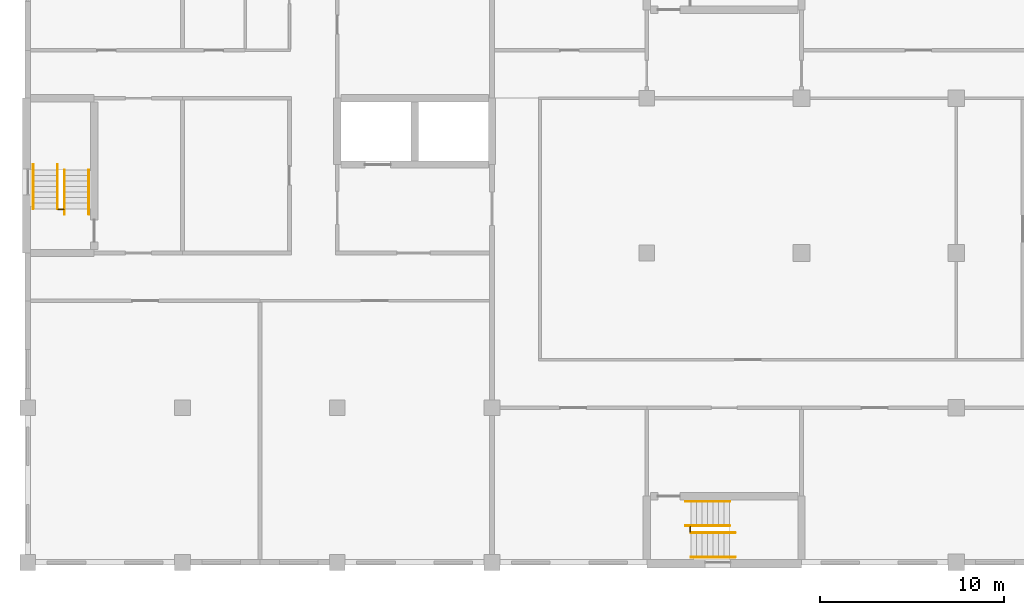
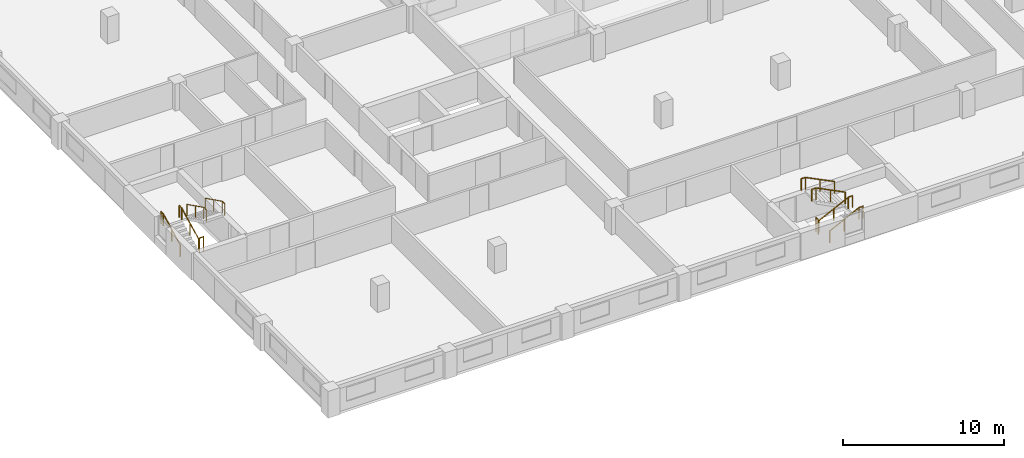
# One storey, part 43 of 48: 10 railings.
"""IFC4 building model written with IfcOpenShell, lengths in metres."""

import ifcopenshell
import ifcopenshell.guid

model = None  # the IFC model being written
_history = None  # IfcOwnerHistory: only IFC2X3 demands one
_inside = {}  # id of a spatial element -> (the spatial element, [elements in it])
_under = {}  # id of a project, library or spatial element -> (it, [spatial elements below it])
_declared = {}  # id of a project -> (the project, [libraries it declares])
_typed = {}  # id of a type object -> (the type object, [elements of that type])
_made_of = {}  # id of a material, layer set ... -> (it, [elements and type objects made of it])


def new_model(schema):
    """Start an empty IFC model of exactly this schema.

    Asked for "IFC4X3", IfcOpenShell would pick the latest addendum, in which some entities
    have other attributes; the version numbers below select the first issue.
    IFC2X3 requires an IfcOwnerHistory on every rooted entity: one is made here for all.
    """
    global model, _history
    if schema == "IFC4X3":
        model = ifcopenshell.file(schema_version=(4, 3, 0, 0))
    else:
        model = ifcopenshell.file(schema=schema)
    _inside.clear()
    _under.clear()
    _declared.clear()
    _typed.clear()
    _made_of.clear()
    _history = None
    if model.schema == "IFC2X3":
        org = make("IfcOrganization", Name="unknown")
        user = make(
            "IfcPersonAndOrganization",
            ThePerson=make("IfcPerson", FamilyName="unknown"),
            TheOrganization=org,
        )
        app = make(
            "IfcApplication",
            ApplicationDeveloper=org,
            Version="unknown",
            ApplicationFullName="unknown",
            ApplicationIdentifier="unknown",
        )
        _history = make(
            "IfcOwnerHistory",
            OwningUser=user,
            OwningApplication=app,
            ChangeAction="ADDED",
            CreationDate=0,
        )
    return model


def make(cls, **values):
    """One entity of the class cls with the attributes given. An attribute that is None is left unset."""
    return model.create_entity(
        cls, **{name: value for name, value in values.items() if value is not None}
    )


def rooted(cls, **values):
    """An entity with a GlobalId (a new one), such as an element, a storey or a relation."""
    return make(cls, GlobalId=ifcopenshell.guid.new(), OwnerHistory=_history, **values)


def si_unit(unit_type, name, prefix=None):
    """IfcSIUnit, for example si_unit("LENGTHUNIT", "METRE", prefix="MILLI")."""
    return make("IfcSIUnit", UnitType=unit_type, Prefix=prefix, Name=name)


def assignment(units):
    """IfcUnitAssignment: the units of a project."""
    return None if units is None else make("IfcUnitAssignment", Units=units)


def point(xyz):
    """IfcCartesianPoint."""
    return None if xyz is None else make("IfcCartesianPoint", Coordinates=xyz)


def direction(xyz):
    """IfcDirection."""
    return None if xyz is None else make("IfcDirection", DirectionRatios=xyz)


def frame(location, z_axis=None, x_axis=None):
    """IfcAxis2Placement3D, a coordinate frame: its origin and axes. An axis left out is left unset."""
    return make(
        "IfcAxis2Placement3D",
        Location=point(location),
        Axis=direction(z_axis),
        RefDirection=direction(x_axis),
    )


def frame_2d(location, x_axis=None):
    """IfcAxis2Placement2D, a coordinate frame in the plane: its origin and x axis."""
    return make(
        "IfcAxis2Placement2D", Location=point(location), RefDirection=direction(x_axis)
    )


def origin():
    """The frame at (0, 0, 0) with its axes left unset."""
    return frame((0.0, 0.0, 0.0))


def origin_2d():
    """The frame at (0, 0) in the plane with its x axis left unset."""
    return frame_2d((0.0, 0.0))


def place(relative_to, where):
    """IfcLocalPlacement: puts the frame where relative to a parent placement (None: the world)."""
    return make(
        "IfcLocalPlacement", PlacementRelTo=relative_to, RelativePlacement=where
    )


def context(
    kind, dimensions, precision=None, world=None, true_north=None, identifier=None
):
    """IfcGeometricRepresentationContext, for example the 3D "Model" context."""
    return make(
        "IfcGeometricRepresentationContext",
        ContextIdentifier=identifier,
        ContextType=kind,
        CoordinateSpaceDimension=dimensions,
        Precision=precision,
        WorldCoordinateSystem=world,
        TrueNorth=true_north,
    )


def subcontext(parent, identifier, kind, view, scale=None):
    """IfcGeometricRepresentationSubContext, for example "Body" below "Model"."""
    return make(
        "IfcGeometricRepresentationSubContext",
        ContextIdentifier=identifier,
        ContextType=kind,
        ParentContext=parent,
        TargetScale=scale,
        TargetView=view,
    )


def project(units=None, contexts=None):
    """IfcProject with its units and contexts."""
    return rooted(
        "IfcProject",
        Name="project",
        RepresentationContexts=contexts,
        UnitsInContext=assignment(units),
    )


def spatial(cls, under=None, at=None, **own):
    """A site, building, storey or space (cls), placed at a placement, below another one or the project."""
    s = rooted(cls, ObjectPlacement=at, **own)
    if under is not None:
        _under.setdefault(under.id(), (under, []))[1].append(s)
    return s


def profile(cls, at=None, kind="AREA", **sizes):
    """A parametric profile (cls). Its sizes go by their IFC names, for example OverallWidth=200.0."""
    return make(cls, ProfileType=kind, Position=at, **sizes)


def circle(**sizes):
    """IfcCircleProfileDef."""
    return profile("IfcCircleProfileDef", **sizes)


def extrude(swept, where, along, depth):
    """IfcExtrudedAreaSolid: the profile swept, set in the frame where, extruded along a direction by depth."""
    return make(
        "IfcExtrudedAreaSolid",
        SweptArea=swept,
        Position=where,
        ExtrudedDirection=direction(along),
        Depth=depth,
    )


def shape(context_of_items, identifier, shape_type, items):
    """IfcShapeRepresentation: the items that make up one representation, for example the "Body"."""
    return make(
        "IfcShapeRepresentation",
        ContextOfItems=context_of_items,
        RepresentationIdentifier=identifier,
        RepresentationType=shape_type,
        Items=items,
    )


def material(Name=None, Category=None):
    """IfcMaterial."""
    return make("IfcMaterial", Name=Name, Category=Category)


def made_of(thing, what):
    """Note that an element or type object is made of a material, layer set ...; save() writes the relation."""
    if what is not None:
        _made_of.setdefault(what.id(), (what, []))[1].append(thing)
    return thing


def type_object(cls, material=None, **own):
    """A type object (cls), such as IfcWallType, which elements share."""
    return made_of(rooted(cls, **own), material)


def element(
    cls,
    number,
    at=None,
    inside=None,
    cuts=None,
    type_object=None,
    material=None,
    context=None,
    identifier="Body",
    shape_type=None,
    held_by="IfcProductDefinitionShape",
    body=None,
    shapes=None,
    **own,
):
    """One element of the class cls, such as IfcWall. Its Tag is "e" and its number.

    at: its placement. inside: the storey or other place that contains it. cuts: it is an
    opening in that element (IfcRelVoidsElement). A single representation is given by context,
    identifier, shape_type and body (its items); several are given by shapes. held_by: the class
    of the entity that holds the representations. save() writes the other relations.
    """
    e = rooted(cls, Tag="e%d" % number, ObjectPlacement=at, **own)
    if body is not None:
        shapes = [shape(context, identifier, shape_type, body)]
    if shapes is not None:
        e.Representation = make(held_by, Representations=shapes)
    if inside is not None:
        _inside.setdefault(inside.id(), (inside, []))[1].append(e)
    if cuts is not None:
        rooted(
            "IfcRelVoidsElement", RelatingBuildingElement=cuts, RelatedOpeningElement=e
        )
    if type_object is not None:
        _typed.setdefault(type_object.id(), (type_object, []))[1].append(e)
    return made_of(e, material)


def aggregate(whole, parts):
    """IfcRelAggregates: a whole, such as a stair, and the parts it consists of."""
    return rooted("IfcRelAggregates", RelatingObject=whole, RelatedObjects=parts)


def save(model, path):
    """Write the relations noted so far, then the file.

    IfcRelAggregates (storeys below a building ...), IfcRelContainedInSpatialStructure (elements
    in a storey), IfcRelDefinesByType, IfcRelAssociatesMaterial and IfcRelDeclares: one each for
    every whole, place, type object, material and project.
    """
    for whole, parts in _under.values():
        aggregate(whole, parts)
    for where, things in _inside.values():
        rooted(
            "IfcRelContainedInSpatialStructure",
            RelatedElements=things,
            RelatingStructure=where,
        )
    for kind, things in _typed.values():
        rooted("IfcRelDefinesByType", RelatedObjects=things, RelatingType=kind)
    for what, things in _made_of.values():
        rooted("IfcRelAssociatesMaterial", RelatedObjects=things, RelatingMaterial=what)
    for by, libraries in _declared.values():
        rooted("IfcRelDeclares", RelatingContext=by, RelatedDefinitions=libraries)
    model.write(path)


model = new_model("IFC4")

# Units and contexts
model_context = context("Model", 3, precision=1e-05, world=origin(), true_north=direction((0.0, 1.0)))
body_context = subcontext(model_context, "Body", "Model", "MODEL_VIEW")
ifc_project = project(units=[si_unit("LENGTHUNIT", "METRE"), si_unit("AREAUNIT", "SQUARE_METRE"), si_unit("VOLUMEUNIT", "CUBIC_METRE"), si_unit("PLANEANGLEUNIT", "RADIAN"), si_unit("MASSUNIT", "GRAM", prefix="KILO")], contexts=[model_context])

# Site, building, storey
site_placement = place(None, origin())
site = spatial("IfcSite", under=ifc_project, at=site_placement, CompositionType="ELEMENT")
building_placement = place(site_placement, origin())
building = spatial("IfcBuilding", under=site, at=building_placement, Name="Yavir Park General Hospital", CompositionType="ELEMENT")
storey_placement = place(building_placement, frame((0.0, 0.0, 12.89990234375)))
storey = spatial("IfcBuildingStorey", under=building, at=storey_placement, Name="I02", CompositionType="ELEMENT", Elevation=12.89990234375)

# Railings
ifc_material_1 = material(Name="Steel balustrade with infill rods", Category="steel")
railing_type_1 = type_object("IfcRailingType", Name="Stair guard, steel balustrade 1100 mm", PredefinedType="GUARDRAIL", material=ifc_material_1)
railing_1_placement = place(storey_placement, frame((1.64990234375, 19.169921875, 0.0)))
element("IfcRailing", 1, at=railing_1_placement, inside=storey, type_object=railing_type_1, Name="Stair well guard SU1 I02", PredefinedType="GUARDRAIL", context=body_context, shape_type="SweptSolid", body=[
    extrude(circle(Radius=0.02392578125, at=origin_2d()), frame((0.0, 0.0, 1.076171875), z_axis=(1.0, 0.0, 0.0), x_axis=(0.0, 1.0, 0.0)), (0.0, 0.0, 1.0), 0.300048828125),
    extrude(circle(Radius=0.02099609375, at=origin_2d()), origin(), (0.0, 0.0, 1.0), 1.052001953125),
    extrude(circle(Radius=0.02099609375, at=origin_2d()), frame((0.300048828125, 0.0, 0.0)), (0.0, 0.0, 1.0), 1.052001953125),
])
railing_2_placement = place(storey_placement, frame((35.969970703125, 1.64990234375, 0.0)))
element("IfcRailing", 2, at=railing_2_placement, inside=storey, type_object=railing_type_1, Name="Stair well guard SU2 I02", PredefinedType="GUARDRAIL", context=body_context, shape_type="SweptSolid", body=[
    extrude(circle(Radius=0.02392578125, at=origin_2d()), frame((0.0, 0.0, 1.076171875), z_axis=(0.0, 1.0, 0.0), x_axis=(-1.0, 0.0, 0.0)), (0.0, 0.0, 1.0), 0.300048828125),
    extrude(circle(Radius=0.02099609375, at=origin_2d()), origin(), (0.0, 0.0, 1.0), 1.052001953125),
    extrude(circle(Radius=0.02099609375, at=origin_2d()), frame((0.0, 0.300048828125, 0.0)), (0.0, 0.0, 1.0), 1.052001953125),
])
ifc_material_2 = material(Name="Stainless steel tube 48 mm", Category="steel")
railing_type_2 = type_object("IfcRailingType", Name="Stair handrail, steel tube, 900 mm above the nosings", PredefinedType="HANDRAIL", material=ifc_material_2)
for number, where, name in (
    (3, (0.2900390625, 19.199951171875, 0.150146484375), "Handrail SU1 I02 1"),
    (4, (1.610107421875, 19.199951171875, 0.150146484375), "Handrail SU1 I02 2"),
):
    element("IfcRailing", number, at=place(storey_placement, frame(where)), inside=storey, type_object=railing_type_2, Name=name, PredefinedType="HANDRAIL", context=body_context, shape_type="SweptSolid", body=[
        extrude(circle(Radius=0.02392578125, at=origin_2d()), frame((0.0, 0.0, 0.8759765625), z_axis=(0.0, 0.894427191, 0.4472135955), x_axis=(-1.0, 0.0, 0.0)), (0.0, 0.0, 1.0), 2.347900390625),
        extrude(circle(Radius=0.02392578125, at=origin_2d()), frame((0.0, 2.10009765625, 1.92578125), z_axis=(0.0, 1.0, 0.0), x_axis=(-1.0, 0.0, 0.0)), (0.0, 0.0, 1.0), 0.300048828125),
        extrude(circle(Radius=0.02099609375, at=origin_2d()), origin(), (0.0, 0.0, 1.0), 0.851806640625),
        extrude(circle(Radius=0.02099609375, at=origin_2d()), frame((0.0, 1.050048828125, 0.52490234375)), (0.0, 0.0, 1.0), 0.851806640625),
        extrude(circle(Radius=0.02099609375, at=origin_2d()), frame((0.0, 2.10009765625, 1.050048828125)), (0.0, 0.0, 1.0), 0.851806640625),
        extrude(circle(Radius=0.02099609375, at=origin_2d()), frame((0.0, 2.400146484375, 1.050048828125)), (0.0, 0.0, 1.0), 0.851806640625),
    ])
for number, where, name in (
    (5, (3.31005859375, 21.300048828125, 1.35009765625), "Handrail SU1 I02 3"),
    (6, (1.989990234375, 21.300048828125, 1.35009765625), "Handrail SU1 I02 4"),
):
    element("IfcRailing", number, at=place(storey_placement, frame(where)), inside=storey, type_object=railing_type_2, Name=name, PredefinedType="HANDRAIL", context=body_context, shape_type="SweptSolid", body=[
        extrude(circle(Radius=0.02392578125, at=origin_2d()), frame((0.0, 0.0, 0.8759765625), z_axis=(0.0, -0.894427191, 0.4472135955), x_axis=(1.0, 0.0, 0.0)), (0.0, 0.0, 1.0), 2.347900390625),
        extrude(circle(Radius=0.02392578125, at=origin_2d()), frame((0.0, -2.10009765625, 1.92578125), z_axis=(0.0, -1.0, 0.0), x_axis=(1.0, 0.0, 0.0)), (0.0, 0.0, 1.0), 0.300048828125),
        extrude(circle(Radius=0.02099609375, at=origin_2d()), origin(), (0.0, 0.0, 1.0), 0.851806640625),
        extrude(circle(Radius=0.02099609375, at=origin_2d()), frame((0.0, -1.050048828125, 0.52490234375)), (0.0, 0.0, 1.0), 0.851806640625),
        extrude(circle(Radius=0.02099609375, at=origin_2d()), frame((0.0, -2.10009765625, 1.050048828125)), (0.0, 0.0, 1.0), 0.851806640625),
        extrude(circle(Radius=0.02099609375, at=origin_2d()), frame((0.0, -2.400146484375, 1.050048828125)), (0.0, 0.0, 1.0), 0.851806640625),
    ])
for number, where, name in (
    (7, (36.0, 0.2900390625, 0.150146484375), "Handrail SU2 I02 1"),
    (8, (36.0, 1.610107421875, 0.150146484375), "Handrail SU2 I02 2"),
):
    element("IfcRailing", number, at=place(storey_placement, frame(where)), inside=storey, type_object=railing_type_2, Name=name, PredefinedType="HANDRAIL", context=body_context, shape_type="SweptSolid", body=[
        extrude(circle(Radius=0.02392578125, at=origin_2d()), frame((0.0, 0.0, 0.8759765625), z_axis=(0.894427191, 0.0, 0.4472135955), x_axis=(0.0, 1.0, 0.0)), (0.0, 0.0, 1.0), 2.347900390625),
        extrude(circle(Radius=0.02392578125, at=origin_2d()), frame((2.10009765625, 0.0, 1.92578125), z_axis=(1.0, 0.0, 0.0), x_axis=(0.0, 1.0, 0.0)), (0.0, 0.0, 1.0), 0.2998046875),
        extrude(circle(Radius=0.02099609375, at=origin_2d()), origin(), (0.0, 0.0, 1.0), 0.851806640625),
        extrude(circle(Radius=0.02099609375, at=origin_2d()), frame((1.050048828125, 0.0, 0.52490234375)), (0.0, 0.0, 1.0), 0.851806640625),
        extrude(circle(Radius=0.02099609375, at=origin_2d()), frame((2.10009765625, 0.0, 1.050048828125)), (0.0, 0.0, 1.0), 0.851806640625),
        extrude(circle(Radius=0.02099609375, at=origin_2d()), frame((2.39990234375, 0.0, 1.050048828125)), (0.0, 0.0, 1.0), 0.851806640625),
    ])
for number, where, name in (
    (9, (38.10009765625, 3.31005859375, 1.35009765625), "Handrail SU2 I02 3"),
    (10, (38.10009765625, 1.989990234375, 1.35009765625), "Handrail SU2 I02 4"),
):
    element("IfcRailing", number, at=place(storey_placement, frame(where)), inside=storey, type_object=railing_type_2, Name=name, PredefinedType="HANDRAIL", context=body_context, shape_type="SweptSolid", body=[
        extrude(circle(Radius=0.02392578125, at=origin_2d()), frame((0.0, 0.0, 0.8759765625), z_axis=(-0.894427191, 0.0, 0.4472135955), x_axis=(0.0, -1.0, 0.0)), (0.0, 0.0, 1.0), 2.347900390625),
        extrude(circle(Radius=0.02392578125, at=origin_2d()), frame((-2.10009765625, 0.0, 1.92578125), z_axis=(-1.0, 0.0, 0.0), x_axis=(0.0, -1.0, 0.0)), (0.0, 0.0, 1.0), 0.300048828125),
        extrude(circle(Radius=0.02099609375, at=origin_2d()), origin(), (0.0, 0.0, 1.0), 0.851806640625),
        extrude(circle(Radius=0.02099609375, at=origin_2d()), frame((-1.050048828125, 0.0, 0.52490234375)), (0.0, 0.0, 1.0), 0.851806640625),
        extrude(circle(Radius=0.02099609375, at=origin_2d()), frame((-2.10009765625, 0.0, 1.050048828125)), (0.0, 0.0, 1.0), 0.851806640625),
        extrude(circle(Radius=0.02099609375, at=origin_2d()), frame((-2.400146484375, 0.0, 1.050048828125)), (0.0, 0.0, 1.0), 0.851806640625),
    ])

save(model, "model.ifc")
